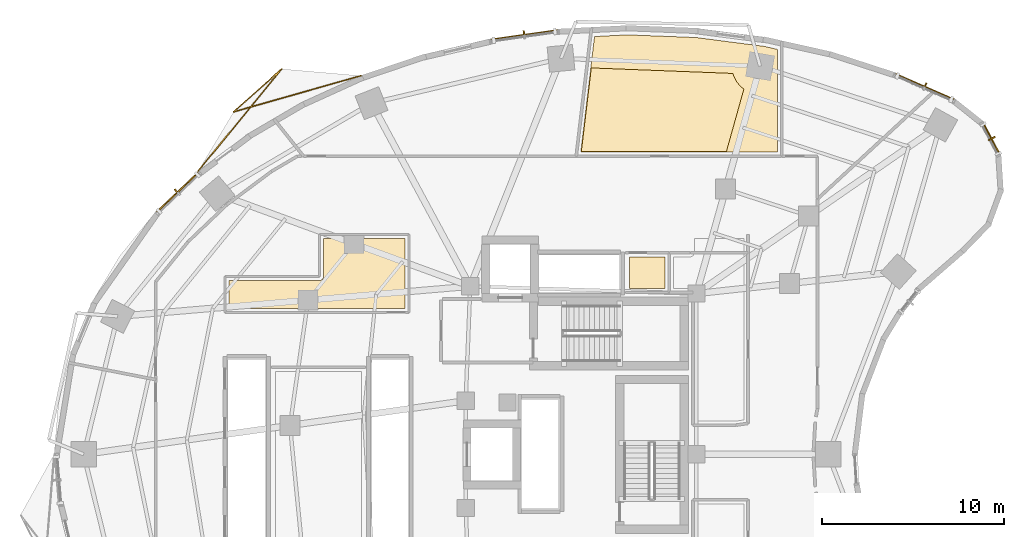
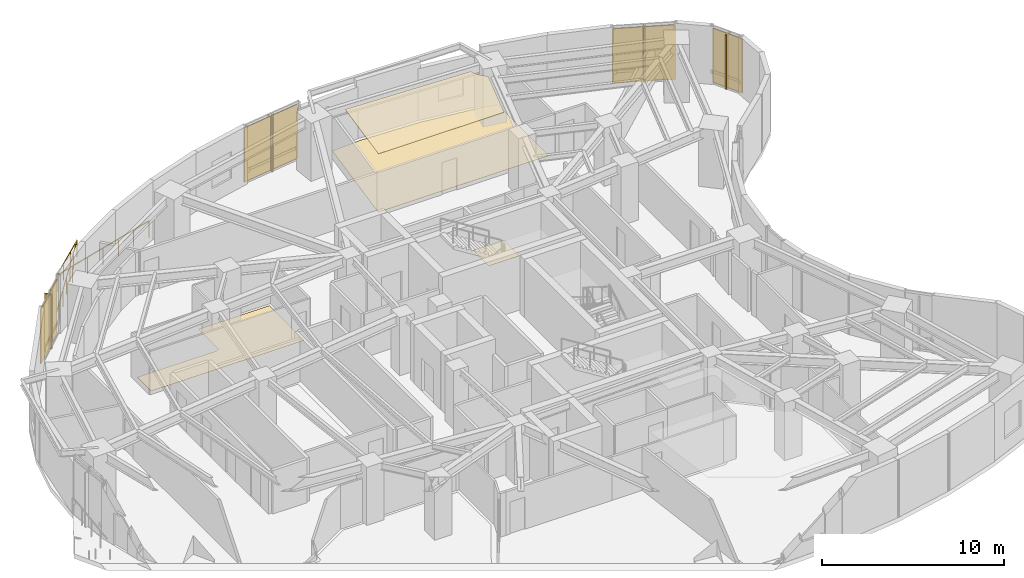
# One storey, part 15 of 15: 8 shading devices, 4 coverings, 1 railing.
"""IFC4 building model written with IfcOpenShell, lengths in metres."""

import ifcopenshell
import ifcopenshell.guid

model = None  # the IFC model being written
_history = None  # IfcOwnerHistory: only IFC2X3 demands one
_inside = {}  # id of a spatial element -> (the spatial element, [elements in it])
_under = {}  # id of a project, library or spatial element -> (it, [spatial elements below it])
_declared = {}  # id of a project -> (the project, [libraries it declares])
_typed = {}  # id of a type object -> (the type object, [elements of that type])
_made_of = {}  # id of a material, layer set ... -> (it, [elements and type objects made of it])


def new_model(schema):
    """Start an empty IFC model of exactly this schema.

    Asked for "IFC4X3", IfcOpenShell would pick the latest addendum, in which some entities
    have other attributes; the version numbers below select the first issue.
    IFC2X3 requires an IfcOwnerHistory on every rooted entity: one is made here for all.
    """
    global model, _history
    if schema == "IFC4X3":
        model = ifcopenshell.file(schema_version=(4, 3, 0, 0))
    else:
        model = ifcopenshell.file(schema=schema)
    _inside.clear()
    _under.clear()
    _declared.clear()
    _typed.clear()
    _made_of.clear()
    _history = None
    if model.schema == "IFC2X3":
        org = make("IfcOrganization", Name="unknown")
        user = make(
            "IfcPersonAndOrganization",
            ThePerson=make("IfcPerson", FamilyName="unknown"),
            TheOrganization=org,
        )
        app = make(
            "IfcApplication",
            ApplicationDeveloper=org,
            Version="unknown",
            ApplicationFullName="unknown",
            ApplicationIdentifier="unknown",
        )
        _history = make(
            "IfcOwnerHistory",
            OwningUser=user,
            OwningApplication=app,
            ChangeAction="ADDED",
            CreationDate=0,
        )
    return model


def make(cls, **values):
    """One entity of the class cls with the attributes given. An attribute that is None is left unset."""
    return model.create_entity(
        cls, **{name: value for name, value in values.items() if value is not None}
    )


def rooted(cls, **values):
    """An entity with a GlobalId (a new one), such as an element, a storey or a relation."""
    return make(cls, GlobalId=ifcopenshell.guid.new(), OwnerHistory=_history, **values)


def si_unit(unit_type, name, prefix=None):
    """IfcSIUnit, for example si_unit("LENGTHUNIT", "METRE", prefix="MILLI")."""
    return make("IfcSIUnit", UnitType=unit_type, Prefix=prefix, Name=name)


def assignment(units):
    """IfcUnitAssignment: the units of a project."""
    return None if units is None else make("IfcUnitAssignment", Units=units)


def point(xyz):
    """IfcCartesianPoint."""
    return None if xyz is None else make("IfcCartesianPoint", Coordinates=xyz)


def direction(xyz):
    """IfcDirection."""
    return None if xyz is None else make("IfcDirection", DirectionRatios=xyz)


def frame(location, z_axis=None, x_axis=None):
    """IfcAxis2Placement3D, a coordinate frame: its origin and axes. An axis left out is left unset."""
    return make(
        "IfcAxis2Placement3D",
        Location=point(location),
        Axis=direction(z_axis),
        RefDirection=direction(x_axis),
    )


def frame_2d(location, x_axis=None):
    """IfcAxis2Placement2D, a coordinate frame in the plane: its origin and x axis."""
    return make(
        "IfcAxis2Placement2D", Location=point(location), RefDirection=direction(x_axis)
    )


def origin():
    """The frame at (0, 0, 0) with its axes left unset."""
    return frame((0.0, 0.0, 0.0))


def origin_2d():
    """The frame at (0, 0) in the plane with its x axis left unset."""
    return frame_2d((0.0, 0.0))


def place(relative_to, where):
    """IfcLocalPlacement: puts the frame where relative to a parent placement (None: the world)."""
    return make(
        "IfcLocalPlacement", PlacementRelTo=relative_to, RelativePlacement=where
    )


def context(
    kind, dimensions, precision=None, world=None, true_north=None, identifier=None
):
    """IfcGeometricRepresentationContext, for example the 3D "Model" context."""
    return make(
        "IfcGeometricRepresentationContext",
        ContextIdentifier=identifier,
        ContextType=kind,
        CoordinateSpaceDimension=dimensions,
        Precision=precision,
        WorldCoordinateSystem=world,
        TrueNorth=true_north,
    )


def subcontext(parent, identifier, kind, view, scale=None):
    """IfcGeometricRepresentationSubContext, for example "Body" below "Model"."""
    return make(
        "IfcGeometricRepresentationSubContext",
        ContextIdentifier=identifier,
        ContextType=kind,
        ParentContext=parent,
        TargetScale=scale,
        TargetView=view,
    )


def project(units=None, contexts=None):
    """IfcProject with its units and contexts."""
    return rooted(
        "IfcProject",
        Name="project",
        RepresentationContexts=contexts,
        UnitsInContext=assignment(units),
    )


def spatial(cls, under=None, at=None, **own):
    """A site, building, storey or space (cls), placed at a placement, below another one or the project."""
    s = rooted(cls, ObjectPlacement=at, **own)
    if under is not None:
        _under.setdefault(under.id(), (under, []))[1].append(s)
    return s


def polyline(points):
    """IfcPolyline through the points."""
    return make("IfcPolyline", Points=[point(p) for p in points])


def profile(cls, at=None, kind="AREA", **sizes):
    """A parametric profile (cls). Its sizes go by their IFC names, for example OverallWidth=200.0."""
    return make(cls, ProfileType=kind, Position=at, **sizes)


def rectangle(**sizes):
    """IfcRectangleProfileDef."""
    return profile("IfcRectangleProfileDef", **sizes)


def outline(outer, holes=None, kind="AREA"):
    """IfcArbitraryClosedProfileDef: a profile drawn as a closed curve; with holes, ...WithVoids."""
    if holes is None:
        return make("IfcArbitraryClosedProfileDef", ProfileType=kind, OuterCurve=outer)
    return make(
        "IfcArbitraryProfileDefWithVoids",
        ProfileType=kind,
        OuterCurve=outer,
        InnerCurves=holes,
    )


def extrude(swept, where, along, depth):
    """IfcExtrudedAreaSolid: the profile swept, set in the frame where, extruded along a direction by depth."""
    return make(
        "IfcExtrudedAreaSolid",
        SweptArea=swept,
        Position=where,
        ExtrudedDirection=direction(along),
        Depth=depth,
    )


def shape(context_of_items, identifier, shape_type, items):
    """IfcShapeRepresentation: the items that make up one representation, for example the "Body"."""
    return make(
        "IfcShapeRepresentation",
        ContextOfItems=context_of_items,
        RepresentationIdentifier=identifier,
        RepresentationType=shape_type,
        Items=items,
    )


def material(Name=None, Category=None):
    """IfcMaterial."""
    return make("IfcMaterial", Name=Name, Category=Category)


def layer(
    of_material, thickness, ventilated=None, Name=None, Category=None, Priority=None
):
    """IfcMaterialLayer: one layer of a wall or slab, of a material (None: an air gap)."""
    return make(
        "IfcMaterialLayer",
        Material=of_material,
        LayerThickness=thickness,
        IsVentilated=ventilated,
        Name=Name,
        Category=Category,
        Priority=Priority,
    )


def layer_set(layers, Name=None):
    """IfcMaterialLayerSet."""
    return make("IfcMaterialLayerSet", MaterialLayers=layers, LayerSetName=Name)


def made_of(thing, what):
    """Note that an element or type object is made of a material, layer set ...; save() writes the relation."""
    if what is not None:
        _made_of.setdefault(what.id(), (what, []))[1].append(thing)
    return thing


def type_object(cls, material=None, **own):
    """A type object (cls), such as IfcWallType, which elements share."""
    return made_of(rooted(cls, **own), material)


def element(
    cls,
    number,
    at=None,
    inside=None,
    cuts=None,
    type_object=None,
    material=None,
    context=None,
    identifier="Body",
    shape_type=None,
    held_by="IfcProductDefinitionShape",
    body=None,
    shapes=None,
    **own,
):
    """One element of the class cls, such as IfcWall. Its Tag is "e" and its number.

    at: its placement. inside: the storey or other place that contains it. cuts: it is an
    opening in that element (IfcRelVoidsElement). A single representation is given by context,
    identifier, shape_type and body (its items); several are given by shapes. held_by: the class
    of the entity that holds the representations. save() writes the other relations.
    """
    e = rooted(cls, Tag="e%d" % number, ObjectPlacement=at, **own)
    if body is not None:
        shapes = [shape(context, identifier, shape_type, body)]
    if shapes is not None:
        e.Representation = make(held_by, Representations=shapes)
    if inside is not None:
        _inside.setdefault(inside.id(), (inside, []))[1].append(e)
    if cuts is not None:
        rooted(
            "IfcRelVoidsElement", RelatingBuildingElement=cuts, RelatedOpeningElement=e
        )
    if type_object is not None:
        _typed.setdefault(type_object.id(), (type_object, []))[1].append(e)
    return made_of(e, material)


def aggregate(whole, parts):
    """IfcRelAggregates: a whole, such as a stair, and the parts it consists of."""
    return rooted("IfcRelAggregates", RelatingObject=whole, RelatedObjects=parts)


def save(model, path):
    """Write the relations noted so far, then the file.

    IfcRelAggregates (storeys below a building ...), IfcRelContainedInSpatialStructure (elements
    in a storey), IfcRelDefinesByType, IfcRelAssociatesMaterial and IfcRelDeclares: one each for
    every whole, place, type object, material and project.
    """
    for whole, parts in _under.values():
        aggregate(whole, parts)
    for where, things in _inside.values():
        rooted(
            "IfcRelContainedInSpatialStructure",
            RelatedElements=things,
            RelatingStructure=where,
        )
    for kind, things in _typed.values():
        rooted("IfcRelDefinesByType", RelatedObjects=things, RelatingType=kind)
    for what, things in _made_of.values():
        rooted("IfcRelAssociatesMaterial", RelatedObjects=things, RelatingMaterial=what)
    for by, libraries in _declared.values():
        rooted("IfcRelDeclares", RelatingContext=by, RelatedDefinitions=libraries)
    model.write(path)


model = new_model("IFC4")

# Units and contexts
model_context = context("Model", 3, precision=1e-05, world=origin(), true_north=direction((0.0, 1.0)))
body_context = subcontext(model_context, "Body", "Model", "MODEL_VIEW")
ifc_project = project(units=[si_unit("LENGTHUNIT", "METRE"), si_unit("AREAUNIT", "SQUARE_METRE"), si_unit("VOLUMEUNIT", "CUBIC_METRE"), si_unit("PLANEANGLEUNIT", "RADIAN"), si_unit("MASSUNIT", "GRAM", prefix="KILO")], contexts=[model_context])

# Site, building, storey
site_placement = place(None, origin())
site = spatial("IfcSite", under=ifc_project, at=site_placement, CompositionType="ELEMENT")
building_placement = place(site_placement, origin())
building = spatial("IfcBuilding", under=site, at=building_placement, Name="Korentha Bioscience Tower", CompositionType="ELEMENT")
storey_placement = place(building_placement, frame((0.0, 0.0, 72.0)))
storey = spatial("IfcBuildingStorey", under=building, at=storey_placement, Name="L16", CompositionType="ELEMENT", Elevation=72.0)

# Covering
ifc_material_1 = material(Name="Vitrified Porcelain Tile", Category="ceramic")
ifc_layer_1 = layer(ifc_material_1, 0.014892578125, Name="Vitrified Porcelain Tile")
ifc_layer_set_1 = layer_set([ifc_layer_1], Name="Vitrified Porcelain Tile (FL-CER)")
covering_type_1 = type_object("IfcCoveringType", Name="Anti-Slip Ceramic Wet-Room Tile Flooring 15", PredefinedType="FLOORING", material=ifc_layer_set_1)
covering_1_placement = place(storey_placement, origin())
element("IfcCovering", 1, at=covering_1_placement, inside=storey, type_object=covering_type_1, Name="L16 Accessible Staff WC Floor Finish", PredefinedType="FLOORING", context=body_context, shape_type="SweptSolid", body=[
    extrude(outline(polyline([(33.8701171875, 36.1298828125), (33.8701171875, 37.8701171875), (35.830078125, 37.8701171875), (35.830078125, 36.1298828125), (33.8701171875, 36.1298828125)])), origin(), (0.0, 0.0, 1.0), 0.014892578125),
])

# Railing
ifc_material_2 = material(Name="Laminated Tempered Safety Glass", Category="glass")
railing_type = type_object("IfcRailingType", Name="Laminated Glass Balcony Guardrail 1150", PredefinedType="BALUSTRADE", material=ifc_material_2)
railing_placement = place(storey_placement, frame((19.07080078125, 47.837646484375, 0.0)))
element("IfcRailing", 2, at=railing_placement, inside=storey, type_object=railing_type, Name="L16 Balcony Guardrail 01", PredefinedType="BALUSTRADE", context=body_context, shape_type="SweptSolid", body=[
    extrude(rectangle(XDim=0.048095703125, YDim=0.048095703125, at=origin_2d()), frame((0.0, 0.0, 1.1259765625), z_axis=(-0.961875531966, -0.273487588394, 0.0), x_axis=(0.273487588394, -0.961875531966, 0.0)), (0.0, 0.0, 1.0), 7.268310546875),
    extrude(rectangle(XDim=0.048095703125, YDim=0.048095703125, at=origin_2d()), frame((-6.9912109375, -1.98779296875, 1.1259765625), z_axis=(0.745563634024, 0.666434443603, 0.0), x_axis=(-0.666434443603, 0.745563634024, 0.0)), (0.0, 0.0, 1.0), 3.545166015625),
    extrude(rectangle(XDim=0.048095703125, YDim=0.048095703125, at=origin_2d()), frame((-4.34814453125, 0.374755859375, 1.1259765625), z_axis=(-0.633032881961, -0.774124906172, 0.0), x_axis=(0.774124906172, -0.633032881961, 0.0)), (0.0, 0.0, 1.0), 7.267578125),
    extrude(rectangle(XDim=0.0419921875, YDim=0.0419921875, at=origin_2d()), origin(), (0.0, 0.0, 1.0), 1.101806640625),
    extrude(rectangle(XDim=0.0419921875, YDim=0.0419921875, at=origin_2d()), frame((-1.165283203125, -0.331298828125, 0.0)), (0.0, 0.0, 1.0), 1.101806640625),
    extrude(rectangle(XDim=0.0419921875, YDim=0.0419921875, at=origin_2d()), frame((-2.330322265625, -0.66259765625, 0.0)), (0.0, 0.0, 1.0), 1.101806640625),
    extrude(rectangle(XDim=0.0419921875, YDim=0.0419921875, at=origin_2d()), frame((-3.49560546875, -0.993896484375, 0.0)), (0.0, 0.0, 1.0), 1.101806640625),
    extrude(rectangle(XDim=0.0419921875, YDim=0.0419921875, at=origin_2d()), frame((-4.660888671875, -1.3251953125, 0.0)), (0.0, 0.0, 1.0), 1.101806640625),
    extrude(rectangle(XDim=0.0419921875, YDim=0.0419921875, at=origin_2d()), frame((-5.825927734375, -1.656494140625, 0.0)), (0.0, 0.0, 1.0), 1.101806640625),
    extrude(rectangle(XDim=0.0419921875, YDim=0.0419921875, at=origin_2d()), frame((-6.9912109375, -1.98779296875, 0.0)), (0.0, 0.0, 1.0), 1.101806640625),
    extrude(rectangle(XDim=0.0419921875, YDim=0.0419921875, at=origin_2d()), frame((-6.110107421875, -1.2001953125, 0.0)), (0.0, 0.0, 1.0), 1.101806640625),
    extrude(rectangle(XDim=0.0419921875, YDim=0.0419921875, at=origin_2d()), frame((-5.229248046875, -0.412841796875, 0.0)), (0.0, 0.0, 1.0), 1.101806640625),
    extrude(rectangle(XDim=0.0419921875, YDim=0.0419921875, at=origin_2d()), frame((-4.34814453125, 0.374755859375, 0.0)), (0.0, 0.0, 1.0), 1.101806640625),
    extrude(rectangle(XDim=0.0419921875, YDim=0.0419921875, at=origin_2d()), frame((-5.114990234375, -0.56298828125, 0.0)), (0.0, 0.0, 1.0), 1.101806640625),
    extrude(rectangle(XDim=0.0419921875, YDim=0.0419921875, at=origin_2d()), frame((-5.881591796875, -1.50048828125, 0.0)), (0.0, 0.0, 1.0), 1.101806640625),
    extrude(rectangle(XDim=0.0419921875, YDim=0.0419921875, at=origin_2d()), frame((-6.6484375, -2.438232421875, 0.0)), (0.0, 0.0, 1.0), 1.101806640625),
    extrude(rectangle(XDim=0.0419921875, YDim=0.0419921875, at=origin_2d()), frame((-7.415283203125, -3.3759765625, 0.0)), (0.0, 0.0, 1.0), 1.101806640625),
    extrude(rectangle(XDim=0.0419921875, YDim=0.0419921875, at=origin_2d()), frame((-8.181884765625, -4.3134765625, 0.0)), (0.0, 0.0, 1.0), 1.101806640625),
    extrude(rectangle(XDim=0.0419921875, YDim=0.0419921875, at=origin_2d()), frame((-8.94873046875, -5.251220703125, 0.0)), (0.0, 0.0, 1.0), 1.101806640625),
])

# Covering
ifc_material_3 = material(Name="Antimicrobial Mineral Fibre Board", Category="gypsum")
ifc_layer_2 = layer(ifc_material_3, 0.034912109375, Name="Antimicrobial Mineral Fibre Board")
ifc_layer_set_2 = layer_set([ifc_layer_2], Name="Antimicrobial Mineral Fibre Board (CL-MF35)")
covering_type_2 = type_object("IfcCoveringType", Name="Mineral-Fibre Cleanroom Suspended Ceiling 35", PredefinedType="CEILING", material=ifc_layer_set_2)
covering_2_placement = place(storey_placement, frame((0.0, 0.0, 3.864990234375)))
element("IfcCovering", 3, at=covering_2_placement, inside=storey, type_object=covering_type_2, Name="L16 Lyophilization Freeze-Drying Room 11 Acoustic Ceiling", PredefinedType="CEILING", context=body_context, shape_type="SweptSolid", body=[
    extrude(outline(polyline([(31.763427734375, 48.268310546875), (39.556884765625, 47.965576171875), (39.62060546875, 47.7734375), (39.763671875, 47.505615234375), (39.95654296875, 47.270751953125), (40.15869140625, 47.102294921875), (39.195556640625, 43.659912109375), (31.214111328125, 43.659912109375), (31.763427734375, 48.268310546875)])), origin(), (0.0, 0.0, 1.0), 0.034912109375),
])

# Shading devices
ifc_material_4 = material(Name="Perforated Stone-Ceramic Composite", Category="masonry")
ifc_layer_3 = layer(ifc_material_4, 0.06494140625, Name="Perforated Stone-Ceramic Composite")
ifc_layer_set_3 = layer_set([ifc_layer_3], Name="Perforated Stone-Ceramic Composite (CS-01)")
shading_device_type_1 = type_object("IfcShadingDeviceType", Name="Perforated Stone-Ceramic Solar Screen Panel 65", PredefinedType="USERDEFINED", material=ifc_layer_set_3)
shading_device_1_placement = place(storey_placement, frame((50.113037109375, 47.231201171875, 0.0), z_axis=(0.0, 0.0, 1.0), x_axis=(-0.91593909057, 0.401317308828, 0.0)))
element("IfcShadingDevice", 4, at=shading_device_1_placement, inside=storey, type_object=shading_device_type_1, Name="CW-L16-01 Perforated Stone-Ceramic Solar Screen", ObjectType="SCREEN", PredefinedType="USERDEFINED", context=body_context, shape_type="SweptSolid", body=[
    extrude(rectangle(XDim=3.492431640625, YDim=0.06494140625, at=origin_2d()), origin(), (0.0, 0.0, 1.0), 3.64990234375),
])
shading_device_2_placement = place(storey_placement, frame((28.072509765625, 50.08251953125, 0.0), z_axis=(0.0, 0.0, 1.0), x_axis=(-0.990167372968, -0.139887717511, 0.0)))
element("IfcShadingDevice", 5, at=shading_device_2_placement, inside=storey, type_object=shading_device_type_1, Name="CW-L16-07 Perforated Stone-Ceramic Solar Screen", ObjectType="SCREEN", PredefinedType="USERDEFINED", context=body_context, shape_type="SweptSolid", body=[
    extrude(rectangle(XDim=3.69091796875, YDim=0.06494140625, at=origin_2d()), origin(), (0.0, 0.0, 1.0), 3.64990234375),
])
shading_device_3_placement = place(storey_placement, frame((8.989990234375, 41.424072265625, 0.0), z_axis=(0.0, 0.0, 1.0), x_axis=(-0.723641761581, -0.690175775361, 0.0)))
element("IfcShadingDevice", 6, at=shading_device_3_placement, inside=storey, type_object=shading_device_type_1, Name="CW-L16-13 Perforated Stone-Ceramic Solar Screen", ObjectType="SCREEN", PredefinedType="USERDEFINED", context=body_context, shape_type="SweptSolid", body=[
    extrude(rectangle(XDim=3.142822265625, YDim=0.06494140625, at=origin_2d()), origin(), (0.0, 0.0, 1.0), 3.64990234375),
])
shading_device_4_placement = place(storey_placement, frame((53.784912109375, 44.375732421875, 0.0), z_axis=(0.0, 0.0, 1.0), x_axis=(-0.463008597697, 0.886353788539, 0.0)))
element("IfcShadingDevice", 7, at=shading_device_4_placement, inside=storey, type_object=shading_device_type_1, Name="CW-L16-61 Perforated Stone-Ceramic Solar Screen", ObjectType="SCREEN", PredefinedType="USERDEFINED", context=body_context, shape_type="SweptSolid", body=[
    extrude(rectangle(XDim=1.927734375, YDim=0.06494140625, at=origin_2d()), origin(), (0.0, 0.0, 1.0), 3.64990234375),
])

# Coverings
ifc_material_5 = material(Name="Chemical-Resistant Epoxy Resin", Category="polymer")
ifc_layer_4 = layer(ifc_material_5, 0.011962890625, Name="Chemical-Resistant Epoxy Resin")
ifc_layer_set_4 = layer_set([ifc_layer_4], Name="Chemical-Resistant Epoxy Resin (FL-EPX)")
covering_type_3 = type_object("IfcCoveringType", Name="Seamless Epoxy Laboratory Flooring 12", PredefinedType="FLOORING", material=ifc_layer_set_4)
covering_3_placement = place(storey_placement, origin())
element("IfcCovering", 8, at=covering_3_placement, inside=storey, type_object=covering_type_3, Name="L16 Lyophilization Freeze-Drying Room 11 Floor Finish", PredefinedType="FLOORING", context=body_context, shape_type="SweptSolid", body=[
    extrude(outline(polyline([(41.2451171875, 49.461181640625), (42.02197265625, 49.287353515625), (42.02197265625, 43.6298828125), (31.18017578125, 43.6298828125), (31.939453125, 49.997314453125), (33.756103515625, 50.0888671875), (37.526611328125, 49.942138671875), (41.2451171875, 49.461181640625)])), origin(), (0.0, 0.0, 1.0), 0.011962890625),
])
covering_4_placement = place(storey_placement, origin())
element("IfcCovering", 9, at=covering_4_placement, inside=storey, type_object=covering_type_3, Name="L16 Epidemiology Modelling Studio 13 Floor Finish", PredefinedType="FLOORING", context=body_context, shape_type="SweptSolid", body=[
    extrude(outline(polyline([(16.800048828125, 36.570068359375), (16.8779296875, 36.58349609375), (16.9541015625, 36.62939453125), (17.0078125, 36.701171875), (17.027587890625, 36.7666015625), (17.030029296875, 38.8701171875), (21.52001953125, 38.8701171875), (21.52001953125, 35.030029296875), (11.81005859375, 35.030029296875), (11.81005859375, 36.570068359375), (16.800048828125, 36.570068359375)])), origin(), (0.0, 0.0, 1.0), 0.011962890625),
])

# Shading devices
ifc_material_6 = material(Name="Honed Travertine Limestone", Category="masonry")
ifc_layer_5 = layer(ifc_material_6, 0.080078125, Name="Honed Travertine Limestone")
ifc_layer_set_5 = layer_set([ifc_layer_5], Name="Honed Travertine Limestone (CS-02)")
shading_device_type_2 = type_object("IfcShadingDeviceType", Name="Vertical Honed Limestone Sunshade Fin 80x420", PredefinedType="USERDEFINED", material=ifc_layer_set_5)
for number, where, z_axis, x_axis, name in (
    (10, (50.12109375, 47.24951171875, 0.0), (0.0, 0.0, 1.0), (-0.91593909057, 0.401317308828, 0.0), "CW-L16-01 Limestone Sunshade Fin"),
    (11, (28.06982421875, 50.102294921875, 0.0), (0.0, 0.0, 1.0), (-0.990167372968, -0.139887717511, 0.0), "CW-L16-07 Limestone Sunshade Fin"),
    (12, (8.976318359375, 41.4384765625, 0.0), (0.0, 0.0, 1.0), (-0.723641761581, -0.690175775361, 0.0), "CW-L16-13 Limestone Sunshade Fin"),
    (13, (53.802490234375, 44.385009765625, 0.0), (0.0, 0.0, 1.0), (-0.463008597697, 0.886353788539, 0.0), "CW-L16-61 Limestone Sunshade Fin"),
):
    element("IfcShadingDevice", number, at=place(storey_placement, frame(where, z_axis=z_axis, x_axis=x_axis)), inside=storey, type_object=shading_device_type_2, Name=name, ObjectType="SCREEN", PredefinedType="USERDEFINED", context=body_context, shape_type="SweptSolid", body=[
        extrude(rectangle(XDim=0.080078125, YDim=0.419921875, at=origin_2d()), origin(), (0.0, 0.0, 1.0), 3.64990234375),
    ])

save(model, "model.ifc")
